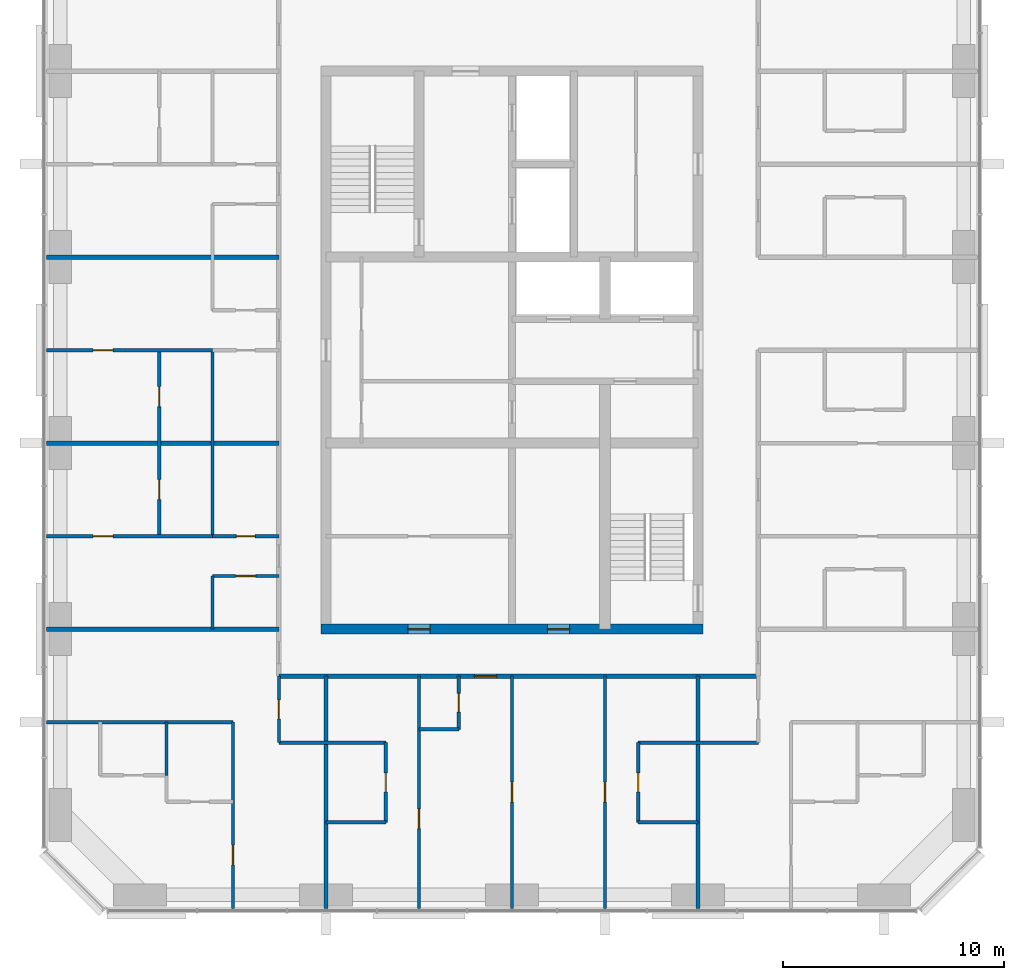
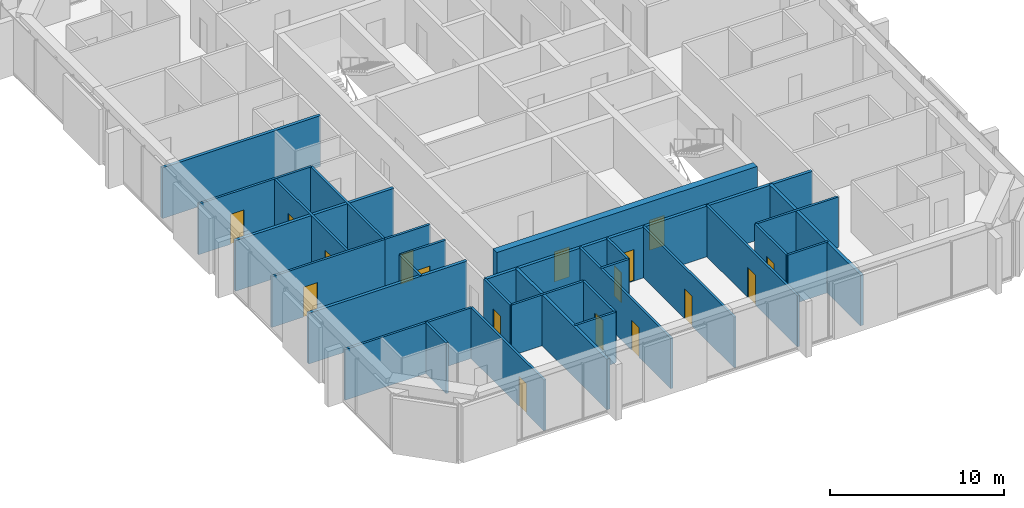
# One storey, part 7 of 12: 29 walls, 17 doors, 17 openings.
"""IFC4 building model written with IfcOpenShell, lengths in metres."""

from ifc_helpers import new_model, si_unit, direction, frame, frame_2d, origin, place, context, subcontext, project, spatial, rectangle, extrude, material, layer, layer_set, type_object, element, fill, save


model = new_model("IFC4")

# Units and contexts
model_context = context("Model", 3, precision=1e-05, world=origin(), true_north=direction((0.0, 1.0)))
body_context = subcontext(model_context, "Body", "Model", "MODEL_VIEW")
ifc_project = project(units=[si_unit("LENGTHUNIT", "METRE"), si_unit("AREAUNIT", "SQUARE_METRE"), si_unit("VOLUMEUNIT", "CUBIC_METRE"), si_unit("PLANEANGLEUNIT", "RADIAN"), si_unit("MASSUNIT", "GRAM", prefix="KILO")], contexts=[model_context])

# Site, building, storey
site_placement = place(None, origin())
site = spatial("IfcSite", under=ifc_project, at=site_placement, CompositionType="ELEMENT")
building_placement = place(site_placement, origin())
building = spatial("IfcBuilding", under=site, at=building_placement, Name="Dunama Terrace Hotel", CompositionType="ELEMENT")
storey_placement = place(building_placement, frame((0.0, 0.0, 260.699951171875)))
storey = spatial("IfcBuildingStorey", under=building, at=storey_placement, Name="L67", CompositionType="ELEMENT", Elevation=260.699951171875)

# Wall, opening, door
ifc_material_1 = material(Name="Gypsum board partition", Category="masonry")
ifc_layer_1 = layer(ifc_material_1, 0.14990234375)
ifc_layer_set_1 = layer_set([ifc_layer_1], Name="Bathroom partition 150")
wall_type_1 = type_object("IfcWallType", Name="Bathroom partition 150", PredefinedType="PARTITIONING", material=ifc_layer_set_1)
wall_1_placement = place(storey_placement, frame((23.074951171875, 11.675048828125, 0.0), z_axis=(0.0, 0.0, 1.0), x_axis=(0.0, 1.0, 0.0)))
wall_1 = element("IfcWall", 1, at=wall_1_placement, inside=storey, type_object=wall_type_1, Name="Bathroom partition 150 L67", PredefinedType="PARTITIONING", context=body_context, shape_type="SweptSolid", body=[
    extrude(rectangle(XDim=3.0, YDim=0.14990234375, at=frame_2d((1.5, 0.0))), origin(), (0.0, 0.0, 1.0), 3.550048828125),
])
opening_1_placement = place(wall_1_placement, frame((1.074951171875, 0.0, 0.0)))
opening_1 = element("IfcOpeningElement", 2, at=opening_1_placement, cuts=wall_1, Name="Opening L65-67-045", PredefinedType="OPENING", context=body_context, shape_type="SweptSolid", body=[
    extrude(rectangle(XDim=0.85009765625, YDim=2.10009765625, at=frame_2d((0.425048828125, 1.050048828125))), frame((0.0, 0.0849609375, 0.0), z_axis=(0.0, -1.0, 0.0), x_axis=(1.0, 0.0, 0.0)), (0.0, 0.0, 1.0), 0.169921875),
])
ifc_material_2 = material(Name="Timber door with steel frame", Category="steel")
door_type_1 = type_object("IfcDoorType", Name="Bathroom door 850", OperationType="SINGLE_SWING_LEFT", PredefinedType="DOOR", material=ifc_material_2)
door_1_placement = place(opening_1_placement, frame((0.85009765625, 0.0, 0.0), z_axis=(0.0, 0.0, 1.0), x_axis=(-1.0, 0.0, 0.0)))
door_1 = element("IfcDoor", 3, at=door_1_placement, inside=storey, type_object=door_type_1, Name="Door to powder room L65-67-045, type D2", OperationType="SINGLE_SWING_LEFT", OverallHeight=2.10009765625, OverallWidth=0.85009765625, PredefinedType="DOOR", context=body_context, shape_type="SweptSolid", body=[
    extrude(rectangle(XDim=0.85009765625, YDim=2.10009765625, at=frame_2d((0.425048828125, 1.050048828125))), frame((0.0, 0.025146484375, 0.0), z_axis=(0.0, -1.0, 0.0), x_axis=(1.0, 0.0, 0.0)), (0.0, 0.0, 1.0), 0.050048828125),
])
fill(opening_1, door_1)

wall_2_placement = place(storey_placement, frame((27.89990234375, 8.074951171875, 0.0), z_axis=(0.0, 0.0, 1.0), x_axis=(0.0, 1.0, 0.0)))
wall_2 = element("IfcWall", 4, at=wall_2_placement, inside=storey, type_object=wall_type_1, Name="Bathroom partition 150 L67", PredefinedType="PARTITIONING", context=body_context, shape_type="SweptSolid", body=[
    extrude(rectangle(XDim=3.60009765625, YDim=0.14990234375, at=frame_2d((1.800048828125, 0.0))), origin(), (0.0, 0.0, 1.0), 3.550048828125),
])
opening_2_placement = place(wall_2_placement, frame((1.375, 0.0, 0.0)))
opening_2 = element("IfcOpeningElement", 5, at=opening_2_placement, cuts=wall_2, Name="Opening L65-67-010", PredefinedType="OPENING", context=body_context, shape_type="SweptSolid", body=[
    extrude(rectangle(XDim=0.85009765625, YDim=2.10009765625, at=frame_2d((0.425048828125, 1.050048828125))), frame((0.0, 0.0849609375, 0.0), z_axis=(0.0, -1.0, 0.0), x_axis=(1.0, 0.0, 0.0)), (0.0, 0.0, 1.0), 0.169921875),
])
door_2_placement = place(opening_2_placement, origin())
door_2 = element("IfcDoor", 6, at=door_2_placement, inside=storey, type_object=door_type_1, Name="Door to en-suite bathroom L65-67-010, type D2", OperationType="SINGLE_SWING_LEFT", OverallHeight=2.10009765625, OverallWidth=0.85009765625, PredefinedType="DOOR", context=body_context, shape_type="SweptSolid", body=[
    extrude(rectangle(XDim=0.85009765625, YDim=2.10009765625, at=frame_2d((0.425048828125, 1.050048828125))), frame((0.0, 0.02490234375, 0.0), z_axis=(0.0, -1.0, 0.0), x_axis=(1.0, 0.0, 0.0)), (0.0, 0.0, 1.0), 0.050048828125),
])
fill(opening_2, door_2)

wall_3_placement = place(storey_placement, frame((31.199951171875, 12.27490234375, 0.0), z_axis=(0.0, 0.0, 1.0), x_axis=(0.0, 1.0, 0.0)))
wall_3 = element("IfcWall", 7, at=wall_3_placement, inside=storey, type_object=wall_type_1, Name="Bathroom partition 150 L67", PredefinedType="PARTITIONING", context=body_context, shape_type="SweptSolid", body=[
    extrude(rectangle(XDim=2.400146484375, YDim=0.14990234375, at=frame_2d((1.2001953125, 0.0))), origin(), (0.0, 0.0, 1.0), 3.550048828125),
])
opening_3_placement = place(wall_3_placement, frame((0.77490234375, 0.0, 0.0)))
opening_3 = element("IfcOpeningElement", 8, at=opening_3_placement, cuts=wall_3, Name="Opening L65-67-008", PredefinedType="OPENING", context=body_context, shape_type="SweptSolid", body=[
    extrude(rectangle(XDim=0.85009765625, YDim=2.10009765625, at=frame_2d((0.425048828125, 1.050048828125))), frame((0.0, 0.0849609375, 0.0), z_axis=(0.0, -1.0, 0.0), x_axis=(1.0, 0.0, 0.0)), (0.0, 0.0, 1.0), 0.169921875),
])
door_3_placement = place(opening_3_placement, origin())
door_3 = element("IfcDoor", 9, at=door_3_placement, inside=storey, type_object=door_type_1, Name="Door to powder room L65-67-008, type D2", OperationType="SINGLE_SWING_RIGHT", OverallHeight=2.10009765625, OverallWidth=0.85009765625, PredefinedType="DOOR", context=body_context, shape_type="SweptSolid", body=[
    extrude(rectangle(XDim=0.85009765625, YDim=2.10009765625, at=frame_2d((0.425048828125, 1.050048828125))), frame((0.0, 0.02490234375, 0.0), z_axis=(0.0, -1.0, 0.0), x_axis=(1.0, 0.0, 0.0)), (0.0, 0.0, 1.0), 0.050048828125),
])
fill(opening_3, door_3)

wall_4_placement = place(storey_placement, frame((39.300048828125, 8.074951171875, 0.0), z_axis=(0.0, 0.0, 1.0), x_axis=(0.0, 1.0, 0.0)))
wall_4 = element("IfcWall", 10, at=wall_4_placement, inside=storey, type_object=wall_type_1, Name="Bathroom partition 150 L67", PredefinedType="PARTITIONING", context=body_context, shape_type="SweptSolid", body=[
    extrude(rectangle(XDim=3.60009765625, YDim=0.14990234375, at=frame_2d((1.800048828125, 0.0))), origin(), (0.0, 0.0, 1.0), 3.550048828125),
])
opening_4_placement = place(wall_4_placement, frame((1.375, 0.0, 0.0)))
opening_4 = element("IfcOpeningElement", 11, at=opening_4_placement, cuts=wall_4, Name="Opening L65-67-013", PredefinedType="OPENING", context=body_context, shape_type="SweptSolid", body=[
    extrude(rectangle(XDim=0.85009765625, YDim=2.10009765625, at=frame_2d((0.425048828125, 1.050048828125))), frame((0.0, 0.0849609375, 0.0), z_axis=(0.0, -1.0, 0.0), x_axis=(1.0, 0.0, 0.0)), (0.0, 0.0, 1.0), 0.169921875),
])
door_4_placement = place(opening_4_placement, frame((0.85009765625, 0.0, 0.0), z_axis=(0.0, 0.0, 1.0), x_axis=(-1.0, 0.0, 0.0)))
door_4 = element("IfcDoor", 12, at=door_4_placement, inside=storey, type_object=door_type_1, Name="Door to en-suite bathroom L65-67-013, type D2", OperationType="SINGLE_SWING_RIGHT", OverallHeight=2.10009765625, OverallWidth=0.85009765625, PredefinedType="DOOR", context=body_context, shape_type="SweptSolid", body=[
    extrude(rectangle(XDim=0.85009765625, YDim=2.10009765625, at=frame_2d((0.425048828125, 1.050048828125))), frame((0.0, 0.025146484375, 0.0), z_axis=(0.0, -1.0, 0.0), x_axis=(1.0, 0.0, 0.0)), (0.0, 0.0, 1.0), 0.050048828125),
])
fill(opening_4, door_4)

# Walls
for number, where, z_axis, x_axis, name in (
    (13, (25.199951171875, 8.074951171875, 0.0), (0.0, 0.0, 1.0), (1.0, 0.0, 0.0), "Bathroom partition 150 L67"),
    (14, (39.300048828125, 8.074951171875, 0.0), (0.0, 0.0, 1.0), (1.0, 0.0, 0.0), "Bathroom partition 150 L67"),
):
    element("IfcWall", number, at=place(storey_placement, frame(where, z_axis=z_axis, x_axis=x_axis)), inside=storey, type_object=wall_type_1, Name=name, PredefinedType="PARTITIONING", context=body_context, shape_type="SweptSolid", body=[
        extrude(rectangle(XDim=2.699951171875, YDim=0.14990234375, at=frame_2d((1.35009765625, 0.0))), origin(), (0.0, 0.0, 1.0), 3.550048828125),
    ])
wall_5_placement = place(storey_placement, frame((23.074951171875, 11.675048828125, 0.0), z_axis=(0.0, 0.0, 1.0), x_axis=(1.0, 0.0, 0.0)))
element("IfcWall", 15, at=wall_5_placement, inside=storey, type_object=wall_type_1, Name="Bathroom partition 150 L67", PredefinedType="PARTITIONING", context=body_context, shape_type="SweptSolid", body=[
    extrude(rectangle(XDim=4.824951171875, YDim=0.14990234375, at=frame_2d((2.41259765625, 0.0))), origin(), (0.0, 0.0, 1.0), 3.550048828125),
])
wall_6_placement = place(storey_placement, frame((39.300048828125, 11.675048828125, 0.0), z_axis=(0.0, 0.0, 1.0), x_axis=(1.0, 0.0, 0.0)))
element("IfcWall", 16, at=wall_6_placement, inside=storey, type_object=wall_type_1, Name="Bathroom partition 150 L67", PredefinedType="PARTITIONING", context=body_context, shape_type="SweptSolid", body=[
    extrude(rectangle(XDim=5.425048828125, YDim=0.14990234375, at=frame_2d((2.71240234375, 0.0))), origin(), (0.0, 0.0, 1.0), 3.550048828125),
])
wall_7_placement = place(storey_placement, frame((29.39990234375, 12.27490234375, 0.0), z_axis=(0.0, 0.0, 1.0), x_axis=(1.0, 0.0, 0.0)))
element("IfcWall", 17, at=wall_7_placement, inside=storey, type_object=wall_type_1, Name="Bathroom partition 150 L67", PredefinedType="PARTITIONING", context=body_context, shape_type="SweptSolid", body=[
    extrude(rectangle(XDim=1.800048828125, YDim=0.14990234375, at=frame_2d((0.89990234375, 0.0))), origin(), (0.0, 0.0, 1.0), 3.550048828125),
])

# Wall, opening, door
wall_8_placement = place(storey_placement, frame((20.074951171875, 21.0, 0.0), z_axis=(0.0, 0.0, 1.0), x_axis=(1.0, 0.0, 0.0)))
wall_8 = element("IfcWall", 18, at=wall_8_placement, inside=storey, type_object=wall_type_1, Name="Bathroom partition 150 L67", PredefinedType="PARTITIONING", context=body_context, shape_type="SweptSolid", body=[
    extrude(rectangle(XDim=3.0, YDim=0.14990234375, at=frame_2d((1.5, 0.0))), origin(), (0.0, 0.0, 1.0), 3.550048828125),
])
opening_5_placement = place(wall_8_placement, frame((1.074951171875, 0.0, 0.0)))
opening_5 = element("IfcOpeningElement", 19, at=opening_5_placement, cuts=wall_8, Name="Opening L65-67-031", PredefinedType="OPENING", context=body_context, shape_type="SweptSolid", body=[
    extrude(rectangle(XDim=0.85009765625, YDim=2.10009765625, at=frame_2d((0.425048828125, 1.050048828125))), frame((0.0, 0.0849609375, 0.0), z_axis=(0.0, -1.0, 0.0), x_axis=(1.0, 0.0, 0.0)), (0.0, 0.0, 1.0), 0.169921875),
])
door_5_placement = place(opening_5_placement, origin())
door_5 = element("IfcDoor", 20, at=door_5_placement, inside=storey, type_object=door_type_1, Name="Door to residence bathroom L65-67-031, type D2", OperationType="SINGLE_SWING_RIGHT", OverallHeight=2.10009765625, OverallWidth=0.85009765625, PredefinedType="DOOR", context=body_context, shape_type="SweptSolid", body=[
    extrude(rectangle(XDim=0.85009765625, YDim=2.10009765625, at=frame_2d((0.425048828125, 1.050048828125))), frame((0.0, 0.02490234375, 0.0), z_axis=(0.0, -1.0, 0.0), x_axis=(1.0, 0.0, 0.0)), (0.0, 0.0, 1.0), 0.050048828125),
])
fill(opening_5, door_5)

# Wall, openings, doors
ifc_material_3 = material(Name="Concrete C50/60", Category="concrete")
ifc_layer_2 = layer(ifc_material_3, 0.449951171875)
ifc_layer_set_2 = layer_set([ifc_layer_2], Name="Core wall 450")
wall_type_2 = type_object("IfcWallType", Name="Core wall 450", PredefinedType="SHEAR", material=ifc_layer_set_2)
wall_9_placement = place(storey_placement, frame((24.97509765625, 16.800048828125, -0.349853515625), z_axis=(0.0, 0.0, 1.0), x_axis=(1.0, 0.0, 0.0)))
wall_9 = element("IfcWall", 21, at=wall_9_placement, inside=storey, type_object=wall_type_2, Name="Core wall south L67", PredefinedType="SHEAR", context=body_context, shape_type="SweptSolid", body=[
    extrude(rectangle(XDim=17.25, YDim=0.449951171875, at=frame_2d((8.625, 0.0))), origin(), (0.0, 0.0, 1.0), 3.89990234375),
])
opening_6_placement = place(wall_9_placement, frame((3.925048828125, 0.0, 0.35009765625)))
opening_6 = element("IfcOpeningElement", 22, at=opening_6_placement, cuts=wall_9, Name="Opening L65-67-073", PredefinedType="OPENING", context=body_context, shape_type="SweptSolid", body=[
    extrude(rectangle(XDim=1.0, YDim=2.10009765625, at=frame_2d((0.5, 1.050048828125))), frame((0.0, 0.23486328125, 0.0), z_axis=(0.0, -1.0, 0.0), x_axis=(1.0, 0.0, 0.0)), (0.0, 0.0, 1.0), 0.469970703125),
])
opening_7_placement = place(wall_9_placement, frame((10.22509765625, 0.0, 0.35009765625)))
opening_7 = element("IfcOpeningElement", 23, at=opening_7_placement, cuts=wall_9, Name="Opening L65-67-075", PredefinedType="OPENING", context=body_context, shape_type="SweptSolid", body=[
    extrude(rectangle(XDim=1.0, YDim=2.10009765625, at=frame_2d((0.5, 1.050048828125))), frame((0.0, 0.23486328125, 0.0), z_axis=(0.0, -1.0, 0.0), x_axis=(1.0, 0.0, 0.0)), (0.0, 0.0, 1.0), 0.469970703125),
])
ifc_material_4 = material(Name="Timber door with steel frame", Category="steel")
door_type_2 = type_object("IfcDoorType", Name="Service door 1000", OperationType="SINGLE_SWING_LEFT", PredefinedType="DOOR", material=ifc_material_4)
door_6_placement = place(opening_6_placement, origin())
door_6 = element("IfcDoor", 24, at=door_6_placement, inside=storey, type_object=door_type_2, Name="Door to corridor air handling room L65-67-073, type D7", OperationType="SINGLE_SWING_LEFT", OverallHeight=2.10009765625, OverallWidth=1.0, PredefinedType="DOOR", context=body_context, shape_type="SweptSolid", body=[
    extrude(rectangle(XDim=1.0, YDim=2.10009765625, at=frame_2d((0.5, 1.050048828125))), frame((0.0, 0.02490234375, 0.0), z_axis=(0.0, -1.0, 0.0), x_axis=(1.0, 0.0, 0.0)), (0.0, 0.0, 1.0), 0.050048828125),
])
fill(opening_6, door_6)
door_7_placement = place(opening_7_placement, origin())
door_7 = element("IfcDoor", 25, at=door_7_placement, inside=storey, type_object=door_type_2, Name="Door to water riser room L65-67-075, type D7", OperationType="SINGLE_SWING_RIGHT", OverallHeight=2.10009765625, OverallWidth=1.0, PredefinedType="DOOR", context=body_context, shape_type="SweptSolid", body=[
    extrude(rectangle(XDim=1.0, YDim=2.10009765625, at=frame_2d((0.5, 1.050048828125))), frame((0.0, 0.02490234375, 0.0), z_axis=(0.0, -1.0, 0.0), x_axis=(1.0, 0.0, 0.0)), (0.0, 0.0, 1.0), 0.050048828125),
])
fill(opening_7, door_7)

# Wall, opening, door
ifc_material_5 = material(Name="Concrete blockwork", Category="masonry")
ifc_layer_3 = layer(ifc_material_5, 0.199951171875)
ifc_layer_set_3 = layer_set([ifc_layer_3], Name="Corridor partition 200")
wall_type_3 = type_object("IfcWallType", Name="Corridor partition 200", PredefinedType="PARTITIONING", material=ifc_layer_set_3)
wall_10_placement = place(storey_placement, frame((44.72509765625, 14.675048828125, 0.0), z_axis=(0.0, 0.0, 1.0), x_axis=(-1.0, 0.0, 0.0)))
wall_10 = element("IfcWall", 26, at=wall_10_placement, inside=storey, type_object=wall_type_3, Name="Corridor partition 200 L67", PredefinedType="PARTITIONING", context=body_context, shape_type="SweptSolid", body=[
    extrude(rectangle(XDim=21.650146484375, YDim=0.199951171875, at=frame_2d((10.8251953125, 0.0))), origin(), (0.0, 0.0, 1.0), 3.550048828125),
])
opening_8_placement = place(wall_10_placement, frame((11.824951171875, 0.0, 0.0)))
opening_8 = element("IfcOpeningElement", 27, at=opening_8_placement, cuts=wall_10, Name="Opening L65-67-007", PredefinedType="OPENING", context=body_context, shape_type="SweptSolid", body=[
    extrude(rectangle(XDim=1.0, YDim=2.199951171875, at=frame_2d((0.5, 1.10009765625))), frame((0.0, 0.10986328125, 0.0), z_axis=(0.0, -1.0, 0.0), x_axis=(1.0, 0.0, 0.0)), (0.0, 0.0, 1.0), 0.219970703125),
])
ifc_material_6 = material(Name="Timber door with steel frame", Category="steel")
door_type_3 = type_object("IfcDoorType", Name="Guest room door 1000", OperationType="SINGLE_SWING_LEFT", PredefinedType="DOOR", material=ifc_material_6)
door_8_placement = place(opening_8_placement, origin())
door_8 = element("IfcDoor", 28, at=door_8_placement, inside=storey, type_object=door_type_3, Name="Door to grand suite living room L65-67-007, type D1", OperationType="SINGLE_SWING_LEFT", OverallHeight=2.199951171875, OverallWidth=1.0, PredefinedType="DOOR", context=body_context, shape_type="SweptSolid", body=[
    extrude(rectangle(XDim=1.0, YDim=2.199951171875, at=frame_2d((0.5, 1.10009765625))), frame((0.0, 0.02490234375, 0.0), z_axis=(0.0, -1.0, 0.0), x_axis=(1.0, 0.0, 0.0)), (0.0, 0.0, 1.0), 0.050048828125),
])
fill(opening_8, door_8)

# Walls
ifc_material_7 = material(Name="Concrete blockwork", Category="masonry")
ifc_layer_4 = layer(ifc_material_7, 0.199951171875)
ifc_layer_set_4 = layer_set([ifc_layer_4], Name="Party wall 200")
wall_type_4 = type_object("IfcWallType", Name="Party wall 200", PredefinedType="PARTITIONING", material=ifc_layer_set_4)
for number, where, z_axis, x_axis, name in (
    (29, (25.199951171875, 4.181884765625, 0.0), (0.0, 0.0, 1.0), (0.0, 1.0, 0.0), "Party wall 200 L67"),
    (30, (42.0, 4.181884765625, 0.0), (0.0, 0.0, 1.0), (0.0, 1.0, 0.0), "Party wall 200 L67"),
):
    element("IfcWall", number, at=place(storey_placement, frame(where, z_axis=z_axis, x_axis=x_axis)), inside=storey, type_object=wall_type_4, Name=name, PredefinedType="PARTITIONING", context=body_context, shape_type="SweptSolid", body=[
        extrude(rectangle(XDim=10.4931640625, YDim=0.199951171875, at=frame_2d((5.24658203125, 0.0))), origin(), (0.0, 0.0, 1.0), 3.550048828125),
    ])
for number, where, z_axis, x_axis, name in (
    (31, (12.58203125, 16.800048828125, 0.0), (0.0, 0.0, 1.0), (1.0, 0.0, 0.0), "Party wall 200 L67"),
    (32, (12.58203125, 25.199951171875, 0.0), (0.0, 0.0, 1.0), (1.0, 0.0, 0.0), "Party wall 200 L67"),
    (33, (12.58203125, 33.60009765625, 0.0), (0.0, 0.0, 1.0), (1.0, 0.0, 0.0), "Party wall 200 L67"),
):
    element("IfcWall", number, at=place(storey_placement, frame(where, z_axis=z_axis, x_axis=x_axis)), inside=storey, type_object=wall_type_4, Name=name, PredefinedType="PARTITIONING", context=body_context, shape_type="SweptSolid", body=[
        extrude(rectangle(XDim=10.492919921875, YDim=0.199951171875, at=frame_2d((5.24658203125, 0.0))), origin(), (0.0, 0.0, 1.0), 3.550048828125),
    ])

# Wall, openings, doors
ifc_material_8 = material(Name="Gypsum board partition", Category="masonry")
ifc_layer_5 = layer(ifc_material_8, 0.14990234375)
ifc_layer_set_5 = layer_set([ifc_layer_5], Name="Room partition 150")
wall_type_5 = type_object("IfcWallType", Name="Room partition 150", PredefinedType="PARTITIONING", material=ifc_layer_set_5)
wall_11_placement = place(storey_placement, frame((17.675048828125, 21.0, 0.0), z_axis=(0.0, 0.0, 1.0), x_axis=(0.0, 1.0, 0.0)))
wall_11 = element("IfcWall", 34, at=wall_11_placement, inside=storey, type_object=wall_type_5, Name="Room partition 150 L67", PredefinedType="PARTITIONING", context=body_context, shape_type="SweptSolid", body=[
    extrude(rectangle(XDim=8.39990234375, YDim=0.14990234375, at=frame_2d((4.199951171875, 0.0))), origin(), (0.0, 0.0, 1.0), 3.550048828125),
])
opening_9_placement = place(wall_11_placement, frame((1.64990234375, 0.0, 0.0)))
opening_9 = element("IfcOpeningElement", 35, at=opening_9_placement, cuts=wall_11, Name="Opening L65-67-032", PredefinedType="OPENING", context=body_context, shape_type="SweptSolid", body=[
    extrude(rectangle(XDim=0.89990234375, YDim=2.10009765625, at=frame_2d((0.449951171875, 1.050048828125))), frame((0.0, 0.0849609375, 0.0), z_axis=(0.0, -1.0, 0.0), x_axis=(1.0, 0.0, 0.0)), (0.0, 0.0, 1.0), 0.169921875),
])
opening_10_placement = place(wall_11_placement, frame((5.85009765625, 0.0, 0.0)))
opening_10 = element("IfcOpeningElement", 36, at=opening_10_placement, cuts=wall_11, Name="Opening L65-67-037", PredefinedType="OPENING", context=body_context, shape_type="SweptSolid", body=[
    extrude(rectangle(XDim=0.89990234375, YDim=2.10009765625, at=frame_2d((0.449951171875, 1.050048828125))), frame((0.0, 0.0849609375, 0.0), z_axis=(0.0, -1.0, 0.0), x_axis=(1.0, 0.0, 0.0)), (0.0, 0.0, 1.0), 0.169921875),
])
ifc_material_9 = material(Name="Timber door with steel frame", Category="steel")
door_type_4 = type_object("IfcDoorType", Name="Suite internal door 900", OperationType="SINGLE_SWING_LEFT", PredefinedType="DOOR", material=ifc_material_9)
door_9_placement = place(opening_9_placement, frame((0.89990234375, 0.0, 0.0), z_axis=(0.0, 0.0, 1.0), x_axis=(-1.0, 0.0, 0.0)))
door_9 = element("IfcDoor", 37, at=door_9_placement, inside=storey, type_object=door_type_4, Name="Door to walk-in wardrobe L65-67-032, type D16", OperationType="SINGLE_SWING_RIGHT", OverallHeight=2.10009765625, OverallWidth=0.89990234375, PredefinedType="DOOR", context=body_context, shape_type="SweptSolid", body=[
    extrude(rectangle(XDim=0.89990234375, YDim=2.10009765625, at=frame_2d((0.449951171875, 1.050048828125))), frame((0.0, 0.025146484375, 0.0), z_axis=(0.0, -1.0, 0.0), x_axis=(1.0, 0.0, 0.0)), (0.0, 0.0, 1.0), 0.050048828125),
])
fill(opening_9, door_9)
door_10_placement = place(opening_10_placement, frame((0.89990234375, 0.0, 0.0), z_axis=(0.0, 0.0, 1.0), x_axis=(-1.0, 0.0, 0.0)))
door_10 = element("IfcDoor", 38, at=door_10_placement, inside=storey, type_object=door_type_4, Name="Door to walk-in wardrobe L65-67-037, type D16", OperationType="SINGLE_SWING_RIGHT", OverallHeight=2.10009765625, OverallWidth=0.89990234375, PredefinedType="DOOR", context=body_context, shape_type="SweptSolid", body=[
    extrude(rectangle(XDim=0.89990234375, YDim=2.10009765625, at=frame_2d((0.449951171875, 1.050048828125))), frame((0.0, 0.025146484375, 0.0), z_axis=(0.0, -1.0, 0.0), x_axis=(1.0, 0.0, 0.0)), (0.0, 0.0, 1.0), 0.050048828125),
])
fill(opening_10, door_10)

# Walls
wall_12_placement = place(storey_placement, frame((18.0, 10.199951171875, 0.0), z_axis=(0.0, 0.0, 1.0), x_axis=(0.0, 1.0, 0.0)))
element("IfcWall", 39, at=wall_12_placement, inside=storey, type_object=wall_type_5, Name="Room partition 150 L67", PredefinedType="PARTITIONING", context=body_context, shape_type="SweptSolid", body=[
    extrude(rectangle(XDim=2.400146484375, YDim=0.14990234375, at=frame_2d((1.2001953125, 0.0))), origin(), (0.0, 0.0, 1.0), 3.550048828125),
])
wall_13_placement = place(storey_placement, frame((20.074951171875, 16.800048828125, 0.0), z_axis=(0.0, 0.0, 1.0), x_axis=(0.0, 1.0, 0.0)))
element("IfcWall", 40, at=wall_13_placement, inside=storey, type_object=wall_type_5, Name="Room partition 150 L67", PredefinedType="PARTITIONING", context=body_context, shape_type="SweptSolid", body=[
    extrude(rectangle(XDim=2.39990234375, YDim=0.14990234375, at=frame_2d((1.199951171875, 0.0))), origin(), (0.0, 0.0, 1.0), 3.550048828125),
])
wall_14_placement = place(storey_placement, frame((20.074951171875, 21.0, 0.0), z_axis=(0.0, 0.0, 1.0), x_axis=(0.0, 1.0, 0.0)))
element("IfcWall", 41, at=wall_14_placement, inside=storey, type_object=wall_type_5, Name="Room partition 150 L67", PredefinedType="PARTITIONING", context=body_context, shape_type="SweptSolid", body=[
    extrude(rectangle(XDim=8.39990234375, YDim=0.14990234375, at=frame_2d((4.199951171875, 0.0))), origin(), (0.0, 0.0, 1.0), 3.550048828125),
])

# Wall, opening, door
wall_15_placement = place(storey_placement, frame((21.0, 4.181884765625, 0.0), z_axis=(0.0, 0.0, 1.0), x_axis=(0.0, 1.0, 0.0)))
wall_15 = element("IfcWall", 42, at=wall_15_placement, inside=storey, type_object=wall_type_5, Name="Room partition 150 L67", PredefinedType="PARTITIONING", context=body_context, shape_type="SweptSolid", body=[
    extrude(rectangle(XDim=8.418212890625, YDim=0.14990234375, at=frame_2d((4.208984375, 0.0))), origin(), (0.0, 0.0, 1.0), 3.550048828125),
])
opening_11_placement = place(wall_15_placement, frame((1.968017578125, 0.0, 0.0)))
opening_11 = element("IfcOpeningElement", 43, at=opening_11_placement, cuts=wall_15, Name="Opening L65-67-046", PredefinedType="OPENING", context=body_context, shape_type="SweptSolid", body=[
    extrude(rectangle(XDim=0.89990234375, YDim=2.10009765625, at=frame_2d((0.449951171875, 1.050048828125))), frame((0.0, 0.0849609375, 0.0), z_axis=(0.0, -1.0, 0.0), x_axis=(1.0, 0.0, 0.0)), (0.0, 0.0, 1.0), 0.169921875),
])
door_11_placement = place(opening_11_placement, origin())
door_11 = element("IfcDoor", 44, at=door_11_placement, inside=storey, type_object=door_type_4, Name="Door to grand corner suite bedroom L65-67-046, type D16", OperationType="SINGLE_SWING_RIGHT", OverallHeight=2.10009765625, OverallWidth=0.89990234375, PredefinedType="DOOR", context=body_context, shape_type="SweptSolid", body=[
    extrude(rectangle(XDim=0.89990234375, YDim=2.10009765625, at=frame_2d((0.449951171875, 1.050048828125))), frame((0.0, 0.02490234375, 0.0), z_axis=(0.0, -1.0, 0.0), x_axis=(1.0, 0.0, 0.0)), (0.0, 0.0, 1.0), 0.050048828125),
])
fill(opening_11, door_11)

wall_16_placement = place(storey_placement, frame((29.39990234375, 4.181884765625, 0.0), z_axis=(0.0, 0.0, 1.0), x_axis=(0.0, 1.0, 0.0)))
wall_16 = element("IfcWall", 45, at=wall_16_placement, inside=storey, type_object=wall_type_5, Name="Room partition 150 L67", PredefinedType="PARTITIONING", context=body_context, shape_type="SweptSolid", body=[
    extrude(rectangle(XDim=10.4931640625, YDim=0.14990234375, at=frame_2d((5.24658203125, 0.0))), origin(), (0.0, 0.0, 1.0), 3.550048828125),
])
opening_12_placement = place(wall_16_placement, frame((3.60595703125, 0.0, 0.0)))
opening_12 = element("IfcOpeningElement", 46, at=opening_12_placement, cuts=wall_16, Name="Opening L65-67-009", PredefinedType="OPENING", context=body_context, shape_type="SweptSolid", body=[
    extrude(rectangle(XDim=0.89990234375, YDim=2.10009765625, at=frame_2d((0.449951171875, 1.050048828125))), frame((0.0, 0.0849609375, 0.0), z_axis=(0.0, -1.0, 0.0), x_axis=(1.0, 0.0, 0.0)), (0.0, 0.0, 1.0), 0.169921875),
])
door_12_placement = place(opening_12_placement, origin())
door_12 = element("IfcDoor", 47, at=door_12_placement, inside=storey, type_object=door_type_4, Name="Door to grand suite bedroom L65-67-009, type D16", OperationType="SINGLE_SWING_RIGHT", OverallHeight=2.10009765625, OverallWidth=0.89990234375, PredefinedType="DOOR", context=body_context, shape_type="SweptSolid", body=[
    extrude(rectangle(XDim=0.89990234375, YDim=2.10009765625, at=frame_2d((0.449951171875, 1.050048828125))), frame((0.0, 0.02490234375, 0.0), z_axis=(0.0, -1.0, 0.0), x_axis=(1.0, 0.0, 0.0)), (0.0, 0.0, 1.0), 0.050048828125),
])
fill(opening_12, door_12)

wall_17_placement = place(storey_placement, frame((33.60009765625, 4.181884765625, 0.0), z_axis=(0.0, 0.0, 1.0), x_axis=(0.0, 1.0, 0.0)))
wall_17 = element("IfcWall", 48, at=wall_17_placement, inside=storey, type_object=wall_type_5, Name="Room partition 150 L67", PredefinedType="PARTITIONING", context=body_context, shape_type="SweptSolid", body=[
    extrude(rectangle(XDim=10.4931640625, YDim=0.14990234375, at=frame_2d((5.24658203125, 0.0))), origin(), (0.0, 0.0, 1.0), 3.550048828125),
])
opening_13_placement = place(wall_17_placement, frame((4.805908203125, 0.0, 0.0)))
opening_13 = element("IfcOpeningElement", 49, at=opening_13_placement, cuts=wall_17, Name="Opening L65-67-011", PredefinedType="OPENING", context=body_context, shape_type="SweptSolid", body=[
    extrude(rectangle(XDim=0.89990234375, YDim=2.10009765625, at=frame_2d((0.449951171875, 1.050048828125))), frame((0.0, 0.0849609375, 0.0), z_axis=(0.0, -1.0, 0.0), x_axis=(1.0, 0.0, 0.0)), (0.0, 0.0, 1.0), 0.169921875),
])
door_13_placement = place(opening_13_placement, origin())
door_13 = element("IfcDoor", 50, at=door_13_placement, inside=storey, type_object=door_type_4, Name="Door to grand suite study L65-67-011, type D16", OperationType="SINGLE_SWING_RIGHT", OverallHeight=2.10009765625, OverallWidth=0.89990234375, PredefinedType="DOOR", context=body_context, shape_type="SweptSolid", body=[
    extrude(rectangle(XDim=0.89990234375, YDim=2.10009765625, at=frame_2d((0.449951171875, 1.050048828125))), frame((0.0, 0.02490234375, 0.0), z_axis=(0.0, -1.0, 0.0), x_axis=(1.0, 0.0, 0.0)), (0.0, 0.0, 1.0), 0.050048828125),
])
fill(opening_13, door_13)

wall_18_placement = place(storey_placement, frame((37.800048828125, 4.181884765625, 0.0), z_axis=(0.0, 0.0, 1.0), x_axis=(0.0, 1.0, 0.0)))
wall_18 = element("IfcWall", 51, at=wall_18_placement, inside=storey, type_object=wall_type_5, Name="Room partition 150 L67", PredefinedType="PARTITIONING", context=body_context, shape_type="SweptSolid", body=[
    extrude(rectangle(XDim=10.4931640625, YDim=0.14990234375, at=frame_2d((5.24658203125, 0.0))), origin(), (0.0, 0.0, 1.0), 3.550048828125),
])
opening_14_placement = place(wall_18_placement, frame((4.805908203125, 0.0, 0.0)))
opening_14 = element("IfcOpeningElement", 52, at=opening_14_placement, cuts=wall_18, Name="Opening L65-67-012", PredefinedType="OPENING", context=body_context, shape_type="SweptSolid", body=[
    extrude(rectangle(XDim=0.89990234375, YDim=2.10009765625, at=frame_2d((0.449951171875, 1.050048828125))), frame((0.0, 0.0849609375, 0.0), z_axis=(0.0, -1.0, 0.0), x_axis=(1.0, 0.0, 0.0)), (0.0, 0.0, 1.0), 0.169921875),
])
door_14_placement = place(opening_14_placement, frame((0.89990234375, 0.0, 0.0), z_axis=(0.0, 0.0, 1.0), x_axis=(-1.0, 0.0, 0.0)))
door_14 = element("IfcDoor", 53, at=door_14_placement, inside=storey, type_object=door_type_4, Name="Door to grand suite second bedroom L65-67-012, type D16", OperationType="SINGLE_SWING_RIGHT", OverallHeight=2.10009765625, OverallWidth=0.89990234375, PredefinedType="DOOR", context=body_context, shape_type="SweptSolid", body=[
    extrude(rectangle(XDim=0.89990234375, YDim=2.10009765625, at=frame_2d((0.449951171875, 1.050048828125))), frame((0.0, 0.025146484375, 0.0), z_axis=(0.0, -1.0, 0.0), x_axis=(1.0, 0.0, 0.0)), (0.0, 0.0, 1.0), 0.050048828125),
])
fill(opening_14, door_14)

# Wall
wall_19_placement = place(storey_placement, frame((12.58203125, 12.60009765625, 0.0), z_axis=(0.0, 0.0, 1.0), x_axis=(1.0, 0.0, 0.0)))
element("IfcWall", 54, at=wall_19_placement, inside=storey, type_object=wall_type_5, Name="Room partition 150 L67", PredefinedType="PARTITIONING", context=body_context, shape_type="SweptSolid", body=[
    extrude(rectangle(XDim=8.41796875, YDim=0.14990234375, at=frame_2d((4.208984375, 0.0))), origin(), (0.0, 0.0, 1.0), 3.550048828125),
])

# Wall, opening, door
wall_20_placement = place(storey_placement, frame((20.074951171875, 19.199951171875, 0.0), z_axis=(0.0, 0.0, 1.0), x_axis=(1.0, 0.0, 0.0)))
wall_20 = element("IfcWall", 55, at=wall_20_placement, inside=storey, type_object=wall_type_5, Name="Room partition 150 L67", PredefinedType="PARTITIONING", context=body_context, shape_type="SweptSolid", body=[
    extrude(rectangle(XDim=3.0, YDim=0.14990234375, at=frame_2d((1.5, 0.0))), origin(), (0.0, 0.0, 1.0), 3.550048828125),
])
opening_15_placement = place(wall_20_placement, frame((1.050048828125, 0.0, 0.0)))
opening_15 = element("IfcOpeningElement", 56, at=opening_15_placement, cuts=wall_20, Name="Opening L65-67-030", PredefinedType="OPENING", context=body_context, shape_type="SweptSolid", body=[
    extrude(rectangle(XDim=0.89990234375, YDim=2.10009765625, at=frame_2d((0.449951171875, 1.050048828125))), frame((0.0, 0.0849609375, 0.0), z_axis=(0.0, -1.0, 0.0), x_axis=(1.0, 0.0, 0.0)), (0.0, 0.0, 1.0), 0.169921875),
])
door_15_placement = place(opening_15_placement, frame((0.89990234375, 0.0, 0.0), z_axis=(0.0, 0.0, 1.0), x_axis=(-1.0, 0.0, 0.0)))
door_15 = element("IfcDoor", 57, at=door_15_placement, inside=storey, type_object=door_type_4, Name="Door to residence kitchen L65-67-030, type D16", OperationType="SINGLE_SWING_LEFT", OverallHeight=2.10009765625, OverallWidth=0.89990234375, PredefinedType="DOOR", context=body_context, shape_type="SweptSolid", body=[
    extrude(rectangle(XDim=0.89990234375, YDim=2.10009765625, at=frame_2d((0.449951171875, 1.050048828125))), frame((0.0, 0.025146484375, 0.0), z_axis=(0.0, -1.0, 0.0), x_axis=(1.0, 0.0, 0.0)), (0.0, 0.0, 1.0), 0.050048828125),
])
fill(opening_15, door_15)

wall_21_placement = place(storey_placement, frame((12.58203125, 21.0, 0.0), z_axis=(0.0, 0.0, 1.0), x_axis=(1.0, 0.0, 0.0)))
wall_21 = element("IfcWall", 58, at=wall_21_placement, inside=storey, type_object=wall_type_5, Name="Room partition 150 L67", PredefinedType="PARTITIONING", context=body_context, shape_type="SweptSolid", body=[
    extrude(rectangle(XDim=7.492919921875, YDim=0.14990234375, at=frame_2d((3.74658203125, 0.0))), origin(), (0.0, 0.0, 1.0), 3.550048828125),
])
opening_16_placement = place(wall_21_placement, frame((2.10595703125, 0.0, 0.0)))
opening_16 = element("IfcOpeningElement", 59, at=opening_16_placement, cuts=wall_21, Name="Opening L65-67-033", PredefinedType="OPENING", context=body_context, shape_type="SweptSolid", body=[
    extrude(rectangle(XDim=0.89990234375, YDim=2.10009765625, at=frame_2d((0.449951171875, 1.050048828125))), frame((0.0, 0.0849609375, 0.0), z_axis=(0.0, -1.0, 0.0), x_axis=(1.0, 0.0, 0.0)), (0.0, 0.0, 1.0), 0.169921875),
])
door_16_placement = place(opening_16_placement, origin())
door_16 = element("IfcDoor", 60, at=door_16_placement, inside=storey, type_object=door_type_4, Name="Door to residence bedroom L65-67-033, type D16", OperationType="SINGLE_SWING_RIGHT", OverallHeight=2.10009765625, OverallWidth=0.89990234375, PredefinedType="DOOR", context=body_context, shape_type="SweptSolid", body=[
    extrude(rectangle(XDim=0.89990234375, YDim=2.10009765625, at=frame_2d((0.449951171875, 1.050048828125))), frame((0.0, 0.02490234375, 0.0), z_axis=(0.0, -1.0, 0.0), x_axis=(1.0, 0.0, 0.0)), (0.0, 0.0, 1.0), 0.050048828125),
])
fill(opening_16, door_16)

wall_22_placement = place(storey_placement, frame((12.58203125, 29.39990234375, 0.0), z_axis=(0.0, 0.0, 1.0), x_axis=(1.0, 0.0, 0.0)))
wall_22 = element("IfcWall", 61, at=wall_22_placement, inside=storey, type_object=wall_type_5, Name="Room partition 150 L67", PredefinedType="PARTITIONING", context=body_context, shape_type="SweptSolid", body=[
    extrude(rectangle(XDim=7.492919921875, YDim=0.14990234375, at=frame_2d((3.74658203125, 0.0))), origin(), (0.0, 0.0, 1.0), 3.550048828125),
])
opening_17_placement = place(wall_22_placement, frame((2.10595703125, 0.0, 0.0)))
opening_17 = element("IfcOpeningElement", 62, at=opening_17_placement, cuts=wall_22, Name="Opening L65-67-038", PredefinedType="OPENING", context=body_context, shape_type="SweptSolid", body=[
    extrude(rectangle(XDim=0.89990234375, YDim=2.10009765625, at=frame_2d((0.449951171875, 1.050048828125))), frame((0.0, 0.0849609375, 0.0), z_axis=(0.0, -1.0, 0.0), x_axis=(1.0, 0.0, 0.0)), (0.0, 0.0, 1.0), 0.169921875),
])
door_17_placement = place(opening_17_placement, frame((0.89990234375, 0.0, 0.0), z_axis=(0.0, 0.0, 1.0), x_axis=(-1.0, 0.0, 0.0)))
door_17 = element("IfcDoor", 63, at=door_17_placement, inside=storey, type_object=door_type_4, Name="Door to residence bedroom L65-67-038, type D16", OperationType="SINGLE_SWING_LEFT", OverallHeight=2.10009765625, OverallWidth=0.89990234375, PredefinedType="DOOR", context=body_context, shape_type="SweptSolid", body=[
    extrude(rectangle(XDim=0.89990234375, YDim=2.10009765625, at=frame_2d((0.449951171875, 1.050048828125))), frame((0.0, 0.025146484375, 0.0), z_axis=(0.0, -1.0, 0.0), x_axis=(1.0, 0.0, 0.0)), (0.0, 0.0, 1.0), 0.050048828125),
])
fill(opening_17, door_17)

save(model, "model.ifc")
